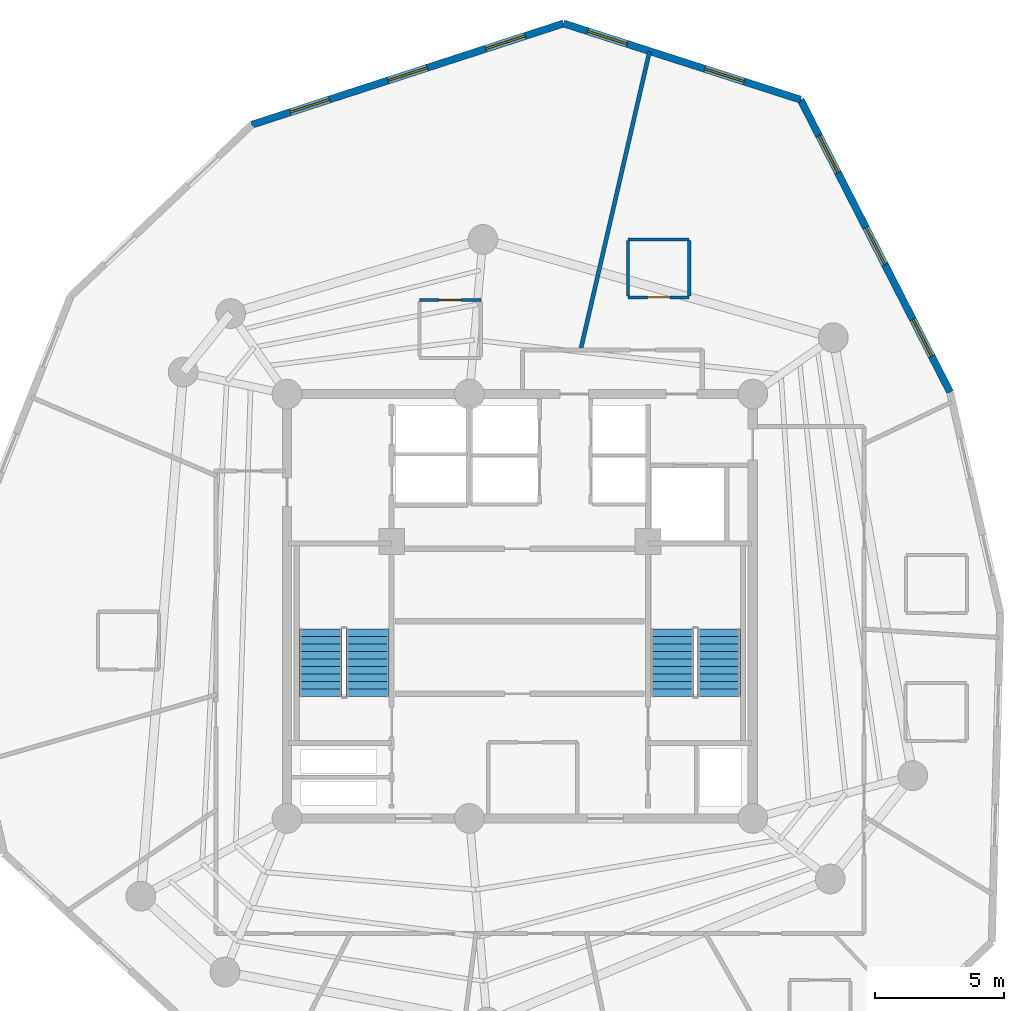
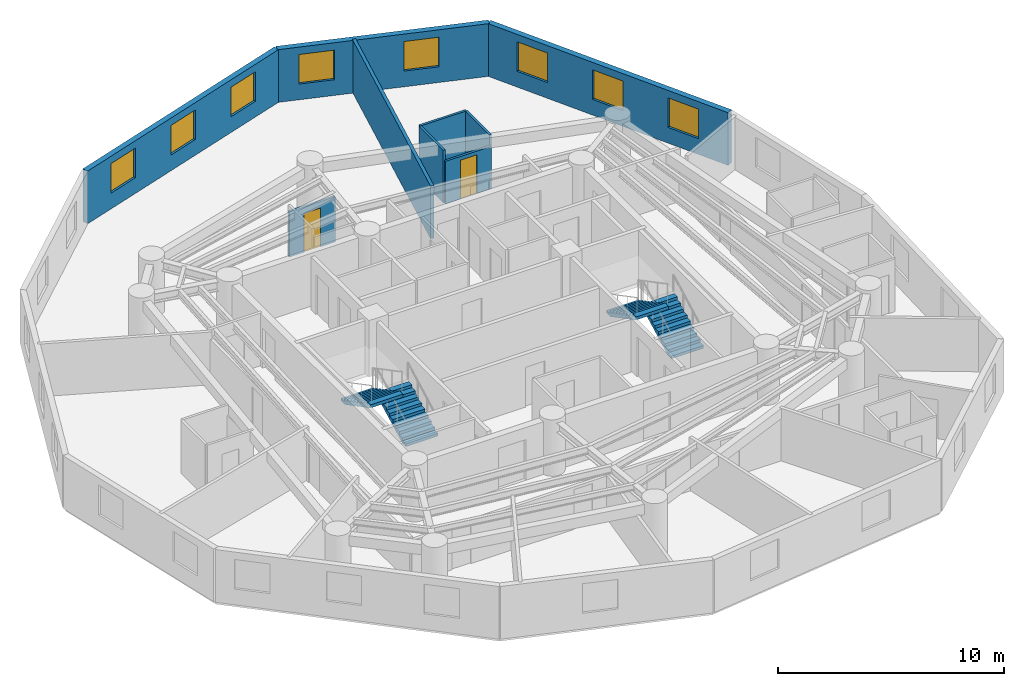
# One storey, part 6 of 7: 9 walls, 8 windows, 4 stair flights, 2 doors, 10 openings, 2 elements without a shape of their own.
"""IFC4 building model written with IfcOpenShell, lengths in metres."""

from ifc_helpers import new_model, si_unit, direction, frame, frame_2d, origin, origin_with_axes, place, context, subcontext, project, spatial, polyline, rectangle, outline, extrude, source, transform, mapped, material, layer, layer_set, type_object, element, fill, aggregate, save


model = new_model("IFC4")

# Units and contexts
model_context = context("Model", 3, precision=1e-05, world=origin(), true_north=direction((0.0, 1.0)))
body_context = subcontext(model_context, "Body", "Model", "MODEL_VIEW")
ifc_project = project(units=[si_unit("LENGTHUNIT", "METRE"), si_unit("AREAUNIT", "SQUARE_METRE"), si_unit("VOLUMEUNIT", "CUBIC_METRE"), si_unit("PLANEANGLEUNIT", "RADIAN"), si_unit("MASSUNIT", "GRAM", prefix="KILO")], contexts=[model_context])

# Site, building, storey
site_placement = place(None, origin())
site = spatial("IfcSite", under=ifc_project, at=site_placement, CompositionType="ELEMENT")
building_placement = place(site_placement, origin())
building = spatial("IfcBuilding", under=site, at=building_placement, Name="Karkom Vertical University and Central Library", CompositionType="ELEMENT")
storey_placement = place(building_placement, frame((0.0, 0.0, 219.949951171875)))
storey = spatial("IfcBuildingStorey", under=building, at=storey_placement, Name="L64", CompositionType="ELEMENT", Elevation=219.949951171875)

# Wall, openings, windows
ifc_material_1 = material(Name="Brick-faced precast concrete C45/55", Category="masonry")
ifc_layer_1 = layer(ifc_material_1, 0.280029296875)
ifc_layer_set_1 = layer_set([ifc_layer_1], Name="Brick-faced precast concrete C45/55")
wall_type_1 = type_object("IfcWallType", Name="ENV-WL-BRK-280", PredefinedType="SOLIDWALL", material=ifc_layer_set_1)
wall_1_placement = place(storey_placement, frame((45.132080078125, 34.7646484375, 0.0), z_axis=(0.0, 0.0, 1.0), x_axis=(-0.45509616546, 0.890442294696, 0.0)))
wall_1 = element("IfcWall", 1, at=wall_1_placement, inside=storey, type_object=wall_type_1, Name="Level 64 Brick-Faced Precast Facade Wall 08", PredefinedType="SOLIDWALL", context=body_context, shape_type="SweptSolid", body=[
    extrude(rectangle(XDim=12.707763671875, YDim=0.280029296875, at=frame_2d((6.35400390625, 0.0))), origin(), (0.0, 0.0, 1.0), 2.85009765625),
])
opening_1_placement = place(wall_1_placement, frame((1.5712890625, 0.0, 0.85009765625)))
opening_1 = element("IfcOpeningElement", 2, at=opening_1_placement, cuts=wall_1, Name="Opening WN-10", PredefinedType="OPENING", context=body_context, shape_type="SweptSolid", body=[
    extrude(rectangle(XDim=1.60009765625, YDim=1.60009765625, at=frame_2d((0.800048828125, 0.800048828125))), frame((0.0, 0.14990234375, 0.0), z_axis=(0.0, -1.0, 0.0), x_axis=(1.0, 0.0, 0.0)), (0.0, 0.0, 1.0), 0.300048828125),
])
opening_2_placement = place(wall_1_placement, frame((5.5537109375, 0.0, 0.85009765625)))
opening_2 = element("IfcOpeningElement", 3, at=opening_2_placement, cuts=wall_1, Name="Opening WN-10", PredefinedType="OPENING", context=body_context, shape_type="SweptSolid", body=[
    extrude(rectangle(XDim=1.60009765625, YDim=1.60009765625, at=frame_2d((0.800048828125, 0.800048828125))), frame((0.0, 0.14990234375, 0.0), z_axis=(0.0, -1.0, 0.0), x_axis=(1.0, 0.0, 0.0)), (0.0, 0.0, 1.0), 0.300048828125),
])
opening_3_placement = place(wall_1_placement, frame((9.536376953125, 0.0, 0.85009765625)))
opening_3 = element("IfcOpeningElement", 4, at=opening_3_placement, cuts=wall_1, Name="Opening WN-10", PredefinedType="OPENING", context=body_context, shape_type="SweptSolid", body=[
    extrude(rectangle(XDim=1.60009765625, YDim=1.60009765625, at=frame_2d((0.800048828125, 0.800048828125))), frame((0.0, 0.14990234375, 0.0), z_axis=(0.0, -1.0, 0.0), x_axis=(1.0, 0.0, 0.0)), (0.0, 0.0, 1.0), 0.300048828125),
])
ifc_material_2 = material(Name="Aluminium thermal-break frame with solar-control IGU", Category="aluminium")
window_type = type_object("IfcWindowType", Name="ENV-WIN-WN-10", PartitioningType="SINGLE_PANEL", PredefinedType="WINDOW", material=ifc_material_2)
shared_shape_1 = source(origin_with_axes(), body_context, "Body", "SweptSolid", [
    extrude(rectangle(XDim=1.60009765625, YDim=1.60009765625, at=frame_2d((0.800048828125, 0.800048828125))), frame((0.0, 0.030029296875, 0.0), z_axis=(0.0, -1.0, 0.0), x_axis=(1.0, 0.0, 0.0)), (0.0, 0.0, 1.0), 0.06005859375),
])
window_1_placement = place(opening_1_placement, origin())
window_1 = element("IfcWindow", 5, at=window_1_placement, inside=storey, type_object=window_type, Name="Level 64 Punched Window 8.1", OverallHeight=1.60009765625, OverallWidth=1.60009765625, PartitioningType="SINGLE_PANEL", PredefinedType="WINDOW", context=body_context, shape_type="MappedRepresentation", body=[
    mapped(shared_shape_1, transform((0.0, 0.0, 0.0), scale=1.0)),
])
fill(opening_1, window_1)
window_2_placement = place(opening_2_placement, origin())
window_2 = element("IfcWindow", 6, at=window_2_placement, inside=storey, type_object=window_type, Name="Level 64 Punched Window 8.2", OverallHeight=1.60009765625, OverallWidth=1.60009765625, PartitioningType="SINGLE_PANEL", PredefinedType="WINDOW", context=body_context, shape_type="MappedRepresentation", body=[
    mapped(shared_shape_1, transform((0.0, 0.0, 0.0), scale=1.0)),
])
fill(opening_2, window_2)
window_3_placement = place(opening_3_placement, origin())
window_3 = element("IfcWindow", 7, at=window_3_placement, inside=storey, type_object=window_type, Name="Level 64 Punched Window 8.3", OverallHeight=1.60009765625, OverallWidth=1.60009765625, PartitioningType="SINGLE_PANEL", PredefinedType="WINDOW", context=body_context, shape_type="MappedRepresentation", body=[
    mapped(shared_shape_1, transform((0.0, 0.0, 0.0), scale=1.0)),
])
fill(opening_3, window_3)

wall_2_placement = place(storey_placement, frame((39.348876953125, 46.080078125, 0.0), z_axis=(0.0, 0.0, 1.0), x_axis=(-0.952009809955, 0.30606751175, 0.0)))
wall_2 = element("IfcWall", 8, at=wall_2_placement, inside=storey, type_object=wall_type_1, Name="Level 64 Brick-Faced Precast Facade Wall 09", PredefinedType="SOLIDWALL", context=body_context, shape_type="SweptSolid", body=[
    extrude(rectangle(XDim=9.619140625, YDim=0.280029296875, at=frame_2d((4.8095703125, 0.0))), origin(), (0.0, 0.0, 1.0), 2.85009765625),
])
opening_4_placement = place(wall_2_placement, frame((2.29150390625, 0.0, 0.85009765625)))
opening_4 = element("IfcOpeningElement", 9, at=opening_4_placement, cuts=wall_2, Name="Opening WN-10", PredefinedType="OPENING", context=body_context, shape_type="SweptSolid", body=[
    extrude(rectangle(XDim=1.60009765625, YDim=1.60009765625, at=frame_2d((0.800048828125, 0.800048828125))), frame((0.0, 0.14990234375, 0.0), z_axis=(0.0, -1.0, 0.0), x_axis=(1.0, 0.0, 0.0)), (0.0, 0.0, 1.0), 0.300048828125),
])
opening_5_placement = place(wall_2_placement, frame((7.041015625, 0.0, 0.85009765625)))
opening_5 = element("IfcOpeningElement", 10, at=opening_5_placement, cuts=wall_2, Name="Opening WN-10", PredefinedType="OPENING", context=body_context, shape_type="SweptSolid", body=[
    extrude(rectangle(XDim=1.60009765625, YDim=1.60009765625, at=frame_2d((0.800048828125, 0.800048828125))), frame((0.0, 0.14990234375, 0.0), z_axis=(0.0, -1.0, 0.0), x_axis=(1.0, 0.0, 0.0)), (0.0, 0.0, 1.0), 0.300048828125),
])
window_4_placement = place(opening_4_placement, origin())
window_4 = element("IfcWindow", 11, at=window_4_placement, inside=storey, type_object=window_type, Name="Level 64 Punched Window 9.1", OverallHeight=1.60009765625, OverallWidth=1.60009765625, PartitioningType="SINGLE_PANEL", PredefinedType="WINDOW", context=body_context, shape_type="MappedRepresentation", body=[
    mapped(shared_shape_1, transform((0.0, 0.0, 0.0), scale=1.0)),
])
fill(opening_4, window_4)
window_5_placement = place(opening_5_placement, origin())
window_5 = element("IfcWindow", 12, at=window_5_placement, inside=storey, type_object=window_type, Name="Level 64 Punched Window 9.2", OverallHeight=1.60009765625, OverallWidth=1.60009765625, PartitioningType="SINGLE_PANEL", PredefinedType="WINDOW", context=body_context, shape_type="MappedRepresentation", body=[
    mapped(shared_shape_1, transform((0.0, 0.0, 0.0), scale=1.0)),
])
fill(opening_5, window_5)

wall_3_placement = place(storey_placement, frame((30.19140625, 49.024169921875, 0.0), z_axis=(0.0, 0.0, 1.0), x_axis=(-0.95111826208, -0.30882689575, 0.0)))
wall_3 = element("IfcWall", 13, at=wall_3_placement, inside=storey, type_object=wall_type_1, Name="Level 64 Brick-Faced Precast Facade Wall 10", PredefinedType="SOLIDWALL", context=body_context, shape_type="SweptSolid", body=[
    extrude(rectangle(XDim=12.674072265625, YDim=0.280029296875, at=frame_2d((6.3369140625, 0.0))), origin(), (0.0, 0.0, 1.0), 2.85009765625),
])
opening_6_placement = place(wall_3_placement, frame((1.565673828125, 0.0, 0.85009765625)))
opening_6 = element("IfcOpeningElement", 14, at=opening_6_placement, cuts=wall_3, Name="Opening WN-10", PredefinedType="OPENING", context=body_context, shape_type="SweptSolid", body=[
    extrude(rectangle(XDim=1.60009765625, YDim=1.60009765625, at=frame_2d((0.800048828125, 0.800048828125))), frame((0.0, 0.14990234375, 0.0), z_axis=(0.0, -1.0, 0.0), x_axis=(1.0, 0.0, 0.0)), (0.0, 0.0, 1.0), 0.300048828125),
])
opening_7_placement = place(wall_3_placement, frame((5.537109375, 0.0, 0.85009765625)))
opening_7 = element("IfcOpeningElement", 15, at=opening_7_placement, cuts=wall_3, Name="Opening WN-10", PredefinedType="OPENING", context=body_context, shape_type="SweptSolid", body=[
    extrude(rectangle(XDim=1.60009765625, YDim=1.60009765625, at=frame_2d((0.800048828125, 0.800048828125))), frame((0.0, 0.14990234375, 0.0), z_axis=(0.0, -1.0, 0.0), x_axis=(1.0, 0.0, 0.0)), (0.0, 0.0, 1.0), 0.300048828125),
])
opening_8_placement = place(wall_3_placement, frame((9.50830078125, 0.0, 0.85009765625)))
opening_8 = element("IfcOpeningElement", 16, at=opening_8_placement, cuts=wall_3, Name="Opening WN-10", PredefinedType="OPENING", context=body_context, shape_type="SweptSolid", body=[
    extrude(rectangle(XDim=1.60009765625, YDim=1.60009765625, at=frame_2d((0.800048828125, 0.800048828125))), frame((0.0, 0.14990234375, 0.0), z_axis=(0.0, -1.0, 0.0), x_axis=(1.0, 0.0, 0.0)), (0.0, 0.0, 1.0), 0.300048828125),
])
window_6_placement = place(opening_6_placement, origin())
window_6 = element("IfcWindow", 17, at=window_6_placement, inside=storey, type_object=window_type, Name="Level 64 Punched Window 10.1", OverallHeight=1.60009765625, OverallWidth=1.60009765625, PartitioningType="SINGLE_PANEL", PredefinedType="WINDOW", context=body_context, shape_type="MappedRepresentation", body=[
    mapped(shared_shape_1, transform((0.0, 0.0, 0.0), scale=1.0)),
])
fill(opening_6, window_6)
window_7_placement = place(opening_7_placement, origin())
window_7 = element("IfcWindow", 18, at=window_7_placement, inside=storey, type_object=window_type, Name="Level 64 Punched Window 10.2", OverallHeight=1.60009765625, OverallWidth=1.60009765625, PartitioningType="SINGLE_PANEL", PredefinedType="WINDOW", context=body_context, shape_type="MappedRepresentation", body=[
    mapped(shared_shape_1, transform((0.0, 0.0, 0.0), scale=1.0)),
])
fill(opening_7, window_7)
window_8_placement = place(opening_8_placement, origin())
window_8 = element("IfcWindow", 19, at=window_8_placement, inside=storey, type_object=window_type, Name="Level 64 Punched Window 10.3", OverallHeight=1.60009765625, OverallWidth=1.60009765625, PartitioningType="SINGLE_PANEL", PredefinedType="WINDOW", context=body_context, shape_type="MappedRepresentation", body=[
    mapped(shared_shape_1, transform((0.0, 0.0, 0.0), scale=1.0)),
])
fill(opening_8, window_8)

# Wall
ifc_material_3 = material(Name="Insulated metal-stud drywall 160mm", Category="gypsum")
ifc_layer_2 = layer(ifc_material_3, 0.159912109375)
ifc_layer_set_2 = layer_set([ifc_layer_2], Name="Insulated metal-stud drywall 160mm")
wall_type_2 = type_object("IfcWallType", Name="INT-WL-COR-160", PredefinedType="PARTITIONING", material=ifc_layer_set_2)
wall_4_placement = place(storey_placement, frame((30.84033203125, 36.370849609375, 0.0), z_axis=(0.0, 0.0, 1.0), x_axis=(0.224958696118, 0.974368300511, 0.0)))
element("IfcWall", 20, at=wall_4_placement, inside=storey, type_object=wall_type_2, Name="Level 64 Interior Partition Wall L64-PW-010", PredefinedType="PARTITIONING", context=body_context, shape_type="SweptSolid", body=[
    extrude(rectangle(XDim=11.8642578125, YDim=0.159912109375, at=frame_2d((5.93212890625, 0.0))), origin(), (0.0, 0.0, 1.0), 2.85009765625),
])

# Wall, opening, door
ifc_material_4 = material(Name="Moisture-resistant drywall 120mm", Category="gypsum")
ifc_layer_3 = layer(ifc_material_4, 0.1201171875)
ifc_layer_set_3 = layer_set([ifc_layer_3], Name="Moisture-resistant drywall 120mm")
wall_type_3 = type_object("IfcWallType", Name="INT-WL-INT-120F", PredefinedType="PARTITIONING", material=ifc_layer_set_3)
wall_5_placement = place(storey_placement, frame((32.68505859375, 38.43994140625, 0.0), z_axis=(0.0, 0.0, 1.0), x_axis=(1.0, 0.0, 0.0)))
wall_5 = element("IfcWall", 21, at=wall_5_placement, inside=storey, type_object=wall_type_3, Name="Level 64 Interior Partition Wall L64-ENS-48-S", PredefinedType="PARTITIONING", context=body_context, shape_type="SweptSolid", body=[
    extrude(rectangle(XDim=2.35986328125, YDim=0.1201171875, at=frame_2d((1.179931640625, 0.0))), origin(), (0.0, 0.0, 1.0), 2.300048828125),
])
opening_9_placement = place(wall_5_placement, frame((0.75, 0.0, 0.0)))
opening_9 = element("IfcOpeningElement", 22, at=opening_9_placement, cuts=wall_5, Name="Opening D-BATH", PredefinedType="OPENING", context=body_context, shape_type="SweptSolid", body=[
    extrude(rectangle(XDim=0.860107421875, YDim=2.10009765625, at=frame_2d((0.43017578125, 1.050048828125))), frame((0.0, 0.070068359375, 0.0), z_axis=(0.0, -1.0, 0.0), x_axis=(1.0, 0.0, 0.0)), (0.0, 0.0, 1.0), 0.14013671875),
])
ifc_material_5 = material(Name="Moisture-resistant oak door", Category="wood")
door_type = type_object("IfcDoorType", Name="INT-DR-BATH", OperationType="NOTDEFINED", PredefinedType="DOOR", material=ifc_material_5)
shared_shape_2 = source(origin_with_axes(), body_context, "Body", "SweptSolid", [
    extrude(rectangle(XDim=0.860107421875, YDim=2.10009765625, at=frame_2d((0.43017578125, 1.050048828125))), frame((0.0, 0.02490234375, 0.0), z_axis=(0.0, -1.0, 0.0), x_axis=(1.0, 0.0, 0.0)), (0.0, 0.0, 1.0), 0.050048828125),
])
door_1_placement = place(opening_9_placement, origin())
door_1 = element("IfcDoor", 23, at=door_1_placement, inside=storey, type_object=door_type, Name="Level 64 En-Suite Bathroom Door 48", OperationType="SINGLE_SWING_LEFT", OverallHeight=2.10009765625, OverallWidth=0.860107421875, PredefinedType="DOOR", context=body_context, shape_type="MappedRepresentation", body=[
    mapped(shared_shape_2, transform((0.0, 0.0, 0.0), scale=1.0)),
])
fill(opening_9, door_1)

# Wall
wall_6_placement = place(storey_placement, frame((35.044921875, 40.679931640625, 0.0), z_axis=(0.0, 0.0, 1.0), x_axis=(-1.0, 0.0, 0.0)))
element("IfcWall", 24, at=wall_6_placement, inside=storey, type_object=wall_type_3, Name="Level 64 Interior Partition Wall L64-ENS-48-N", PredefinedType="PARTITIONING", context=body_context, shape_type="SweptSolid", body=[
    extrude(rectangle(XDim=2.35986328125, YDim=0.1201171875, at=frame_2d((1.179931640625, 0.0))), origin(), (0.0, 0.0, 1.0), 2.85009765625),
])

# Wall, opening, door
wall_7_placement = place(storey_placement, frame((26.989013671875, 38.3369140625, 0.0), z_axis=(0.0, 0.0, 1.0), x_axis=(-1.0, 0.0, 0.0)))
wall_7 = element("IfcWall", 25, at=wall_7_placement, inside=storey, type_object=wall_type_3, Name="Level 64 Interior Partition Wall L64-ENS-49-N", PredefinedType="PARTITIONING", context=body_context, shape_type="SweptSolid", body=[
    extrude(rectangle(XDim=2.360107421875, YDim=0.1201171875, at=frame_2d((1.18017578125, 0.0))), origin(), (0.0, 0.0, 1.0), 2.449951171875),
])
opening_10_placement = place(wall_7_placement, frame((0.75, 0.0, 0.0)))
opening_10 = element("IfcOpeningElement", 26, at=opening_10_placement, cuts=wall_7, Name="Opening D-BATH", PredefinedType="OPENING", context=body_context, shape_type="SweptSolid", body=[
    extrude(rectangle(XDim=0.860107421875, YDim=2.10009765625, at=frame_2d((0.43017578125, 1.050048828125))), frame((0.0, 0.070068359375, 0.0), z_axis=(0.0, -1.0, 0.0), x_axis=(1.0, 0.0, 0.0)), (0.0, 0.0, 1.0), 0.14013671875),
])
door_2_placement = place(opening_10_placement, origin())
door_2 = element("IfcDoor", 27, at=door_2_placement, inside=storey, type_object=door_type, Name="Level 64 En-Suite Bathroom Door 49", OperationType="SINGLE_SWING_LEFT", OverallHeight=2.10009765625, OverallWidth=0.860107421875, PredefinedType="DOOR", context=body_context, shape_type="MappedRepresentation", body=[
    mapped(shared_shape_2, transform((0.0, 0.0, 0.0), scale=1.0)),
])
fill(opening_10, door_2)

# Walls
for number, where, z_axis, x_axis, name in (
    (28, (35.044921875, 38.489990234375, 0.0), (0.0, 0.0, 1.0), (0.0, 1.0, 0.0), "Level 64 Interior Partition Wall L64-ENS-48-E"),
    (29, (32.68505859375, 40.6298828125, 0.0), (0.0, 0.0, 1.0), (0.0, -1.0, 0.0), "Level 64 Interior Partition Wall L64-ENS-48-W"),
):
    element("IfcWall", number, at=place(storey_placement, frame(where, z_axis=z_axis, x_axis=x_axis)), inside=storey, type_object=wall_type_3, Name=name, PredefinedType="PARTITIONING", context=body_context, shape_type="SweptSolid", body=[
        extrude(rectangle(XDim=2.139892578125, YDim=0.1201171875, at=frame_2d((1.06982421875, 0.0))), origin(), (0.0, 0.0, 1.0), 2.85009765625),
    ])

# Stair, stair flights
ifc_material_6 = material(Name="Concrete C45/55", Category="concrete")
stair_type = type_object("IfcStairType", Name="INT-STR-ST-MAIN", PredefinedType="HALF_TURN_STAIR", material=ifc_material_6)
stair_1_placement = place(storey_placement, origin())
stair_1 = element("IfcStair", 30, at=stair_1_placement, inside=storey, type_object=stair_type, Name="Level 64 Tower Protected Exit Stair ST-1", PredefinedType="HALF_TURN_STAIR")
stair_flight_type = type_object("IfcStairFlightType", Name="INT-SFL-ST-MAIN", PredefinedType="STRAIGHT", material=ifc_material_6)
stair_flight_1_placement = place(storey_placement, frame((22.614990234375, 23.02001953125, 0.0), z_axis=(0.0, 0.0, 1.0), x_axis=(0.0, 1.0, 0.0)))
stair_flight_1 = element("IfcStairFlight", 31, at=stair_flight_1_placement, type_object=stair_flight_type, Name="ST-1 flight 1", NumberOfRisers=10, NumberOfTreads=9, PredefinedType="STRAIGHT", RiserHeight=0.1525, TreadLength=0.29, context=body_context, shape_type="SweptSolid", body=[
    extrude(outline(polyline([(0.0, 0.0), (0.0, 0.152587890625), (0.2900390625, 0.152587890625), (0.2900390625, 0.304931640625), (0.580078125, 0.304931640625), (0.580078125, 0.45751953125), (0.8701171875, 0.45751953125), (0.8701171875, 0.610107421875), (1.159912109375, 0.610107421875), (1.159912109375, 0.762451171875), (1.449951171875, 0.762451171875), (1.449951171875, 0.9150390625), (1.739990234375, 0.9150390625), (1.739990234375, 1.0673828125), (2.030029296875, 1.0673828125), (2.030029296875, 1.219970703125), (2.320068359375, 1.219970703125), (2.320068359375, 1.37255859375), (2.610107421875, 1.37255859375), (2.610107421875, 1.52490234375), (2.610107421875, 1.203125), (0.322021484375, 0.0), (0.0, 0.0)])), frame((0.0, 0.824951171875, 0.0), z_axis=(0.0, -1.0, 0.0), x_axis=(1.0, 0.0, 0.0)), (0.0, 0.0, 1.0), 1.64990234375),
])
stair_flight_2_placement = place(storey_placement, frame((20.804931640625, 25.6298828125, 1.525146484375), z_axis=(0.0, 0.0, 1.0), x_axis=(0.0, -1.0, 0.0)))
stair_flight_2 = element("IfcStairFlight", 32, at=stair_flight_2_placement, type_object=stair_flight_type, Name="ST-1 flight 2", NumberOfRisers=10, NumberOfTreads=9, PredefinedType="STRAIGHT", RiserHeight=0.1525, TreadLength=0.29, context=body_context, shape_type="SweptSolid", body=[
    extrude(outline(polyline([(0.0, 0.0), (0.0, 0.152587890625), (0.2900390625, 0.152587890625), (0.2900390625, 0.304931640625), (0.580078125, 0.304931640625), (0.580078125, 0.45751953125), (0.8701171875, 0.45751953125), (0.8701171875, 0.610107421875), (1.159912109375, 0.610107421875), (1.159912109375, 0.762451171875), (1.449951171875, 0.762451171875), (1.449951171875, 0.9150390625), (1.739990234375, 0.9150390625), (1.739990234375, 1.0673828125), (2.030029296875, 1.0673828125), (2.030029296875, 1.219970703125), (2.320068359375, 1.219970703125), (2.320068359375, 1.37255859375), (2.610107421875, 1.37255859375), (2.610107421875, 1.52490234375), (2.610107421875, 1.203125), (0.322021484375, 0.0), (0.0, 0.0)])), frame((0.0, 0.824951171875, 0.0), z_axis=(0.0, -1.0, 0.0), x_axis=(1.0, 0.0, 0.0)), (0.0, 0.0, 1.0), 1.64990234375),
])
aggregate(stair_1, [stair_flight_1, stair_flight_2])

stair_2_placement = place(storey_placement, origin())
stair_2 = element("IfcStair", 33, at=stair_2_placement, inside=storey, type_object=stair_type, Name="Level 64 Tower Protected Exit Stair ST-2", PredefinedType="HALF_TURN_STAIR")
stair_flight_3_placement = place(storey_placement, frame((36.195068359375, 23.02001953125, 0.0), z_axis=(0.0, 0.0, 1.0), x_axis=(0.0, 1.0, 0.0)))
stair_flight_3 = element("IfcStairFlight", 34, at=stair_flight_3_placement, type_object=stair_flight_type, Name="ST-2 flight 1", NumberOfRisers=10, NumberOfTreads=9, PredefinedType="STRAIGHT", RiserHeight=0.1525, TreadLength=0.29, context=body_context, shape_type="SweptSolid", body=[
    extrude(outline(polyline([(0.0, 0.0), (0.0, 0.152587890625), (0.2900390625, 0.152587890625), (0.2900390625, 0.304931640625), (0.580078125, 0.304931640625), (0.580078125, 0.45751953125), (0.8701171875, 0.45751953125), (0.8701171875, 0.610107421875), (1.159912109375, 0.610107421875), (1.159912109375, 0.762451171875), (1.449951171875, 0.762451171875), (1.449951171875, 0.9150390625), (1.739990234375, 0.9150390625), (1.739990234375, 1.0673828125), (2.030029296875, 1.0673828125), (2.030029296875, 1.219970703125), (2.320068359375, 1.219970703125), (2.320068359375, 1.37255859375), (2.610107421875, 1.37255859375), (2.610107421875, 1.52490234375), (2.610107421875, 1.203125), (0.322021484375, 0.0), (0.0, 0.0)])), frame((0.0, 0.824951171875, 0.0), z_axis=(0.0, -1.0, 0.0), x_axis=(1.0, 0.0, 0.0)), (0.0, 0.0, 1.0), 1.64990234375),
])
stair_flight_4_placement = place(storey_placement, frame((34.385009765625, 25.6298828125, 1.525146484375), z_axis=(0.0, 0.0, 1.0), x_axis=(0.0, -1.0, 0.0)))
stair_flight_4 = element("IfcStairFlight", 35, at=stair_flight_4_placement, type_object=stair_flight_type, Name="ST-2 flight 2", NumberOfRisers=10, NumberOfTreads=9, PredefinedType="STRAIGHT", RiserHeight=0.1525, TreadLength=0.29, context=body_context, shape_type="SweptSolid", body=[
    extrude(outline(polyline([(0.0, 0.0), (0.0, 0.152587890625), (0.2900390625, 0.152587890625), (0.2900390625, 0.304931640625), (0.580078125, 0.304931640625), (0.580078125, 0.45751953125), (0.8701171875, 0.45751953125), (0.8701171875, 0.610107421875), (1.159912109375, 0.610107421875), (1.159912109375, 0.762451171875), (1.449951171875, 0.762451171875), (1.449951171875, 0.9150390625), (1.739990234375, 0.9150390625), (1.739990234375, 1.0673828125), (2.030029296875, 1.0673828125), (2.030029296875, 1.219970703125), (2.320068359375, 1.219970703125), (2.320068359375, 1.37255859375), (2.610107421875, 1.37255859375), (2.610107421875, 1.52490234375), (2.610107421875, 1.203125), (0.322021484375, 0.0), (0.0, 0.0)])), frame((0.0, 0.824951171875, 0.0), z_axis=(0.0, -1.0, 0.0), x_axis=(1.0, 0.0, 0.0)), (0.0, 0.0, 1.0), 1.64990234375),
])
aggregate(stair_2, [stair_flight_3, stair_flight_4])

save(model, "model.ifc")
